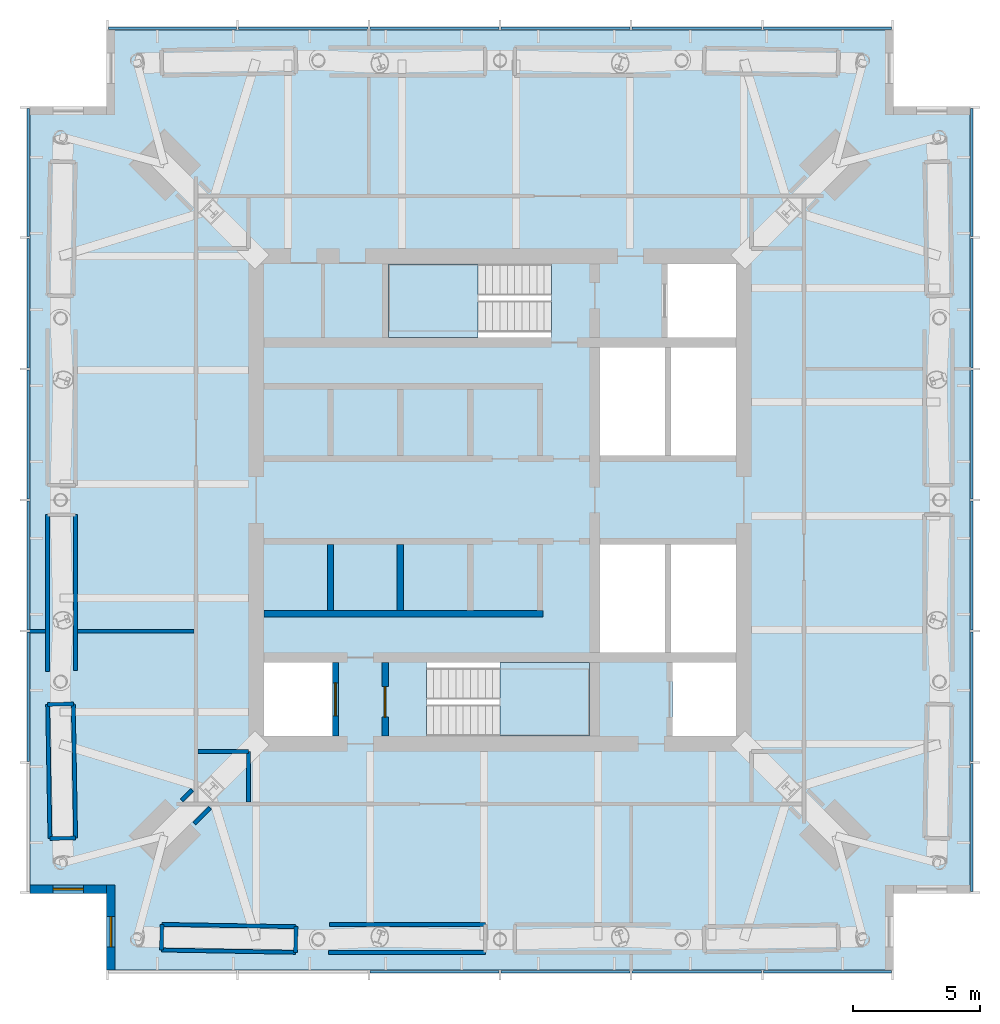
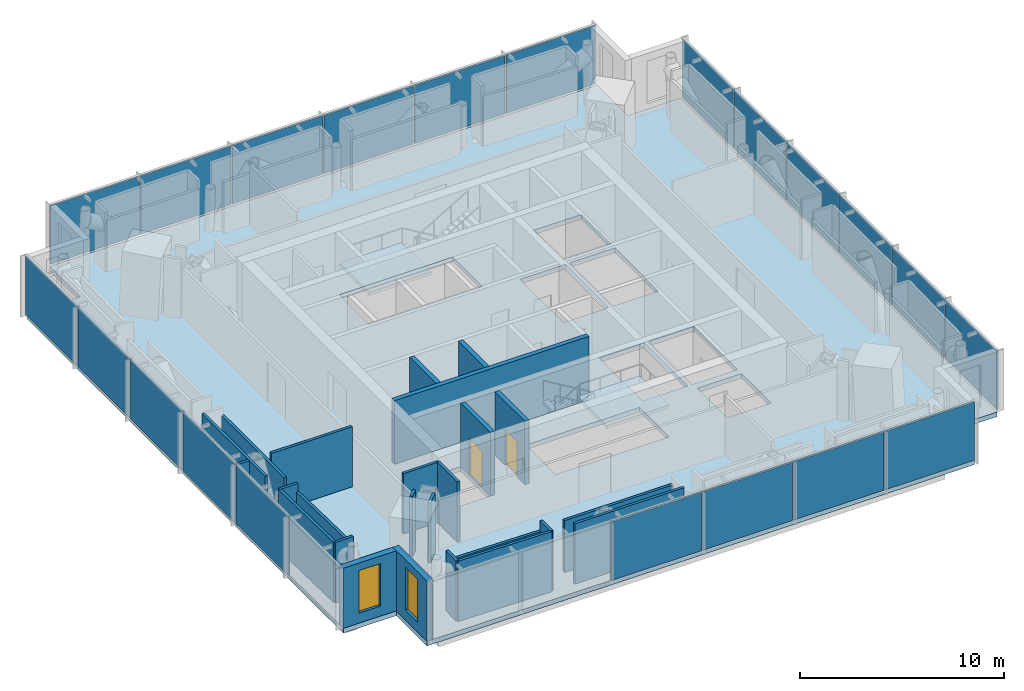
# One storey, part 4 of 8: 25 walls, 21 plates, 3 slabs, 2 doors, 2 windows, 4 openings, 6 elements without a shape of their own.
"""IFC4 building model written with IfcOpenShell, lengths in metres."""

from ifc_helpers import new_model, si_unit, direction, frame, frame_2d, origin, origin_2d, place, context, subcontext, project, spatial, polyline, rectangle, outline, extrude, material, layer, layer_set, type_object, element, fill, aggregate, save


model = new_model("IFC4")

# Units and contexts
model_context = context("Model", 3, precision=1e-05, world=origin(), true_north=direction((0.0, 1.0)))
body_context = subcontext(model_context, "Body", "Model", "MODEL_VIEW")
ifc_project = project(units=[si_unit("LENGTHUNIT", "METRE"), si_unit("AREAUNIT", "SQUARE_METRE"), si_unit("VOLUMEUNIT", "CUBIC_METRE"), si_unit("PLANEANGLEUNIT", "RADIAN"), si_unit("MASSUNIT", "GRAM", prefix="KILO")], contexts=[model_context])

# Site, building, storey
site_placement = place(None, origin())
site = spatial("IfcSite", under=ifc_project, at=site_placement, CompositionType="ELEMENT")
building_placement = place(site_placement, origin())
building = spatial("IfcBuilding", under=site, at=building_placement, Name="Ostroluk Exchange", CompositionType="ELEMENT")
storey_placement = place(building_placement, frame((0.0, 0.0, 230.0)))
storey = spatial("IfcBuildingStorey", under=building, at=storey_placement, Name="L59", CompositionType="ELEMENT", Elevation=230.0)

# Curtain wall, plates
ifc_material_1 = material(Name="Laminated clear glass", Category="glass")
curtain_wall_type = type_object("IfcCurtainWallType", Name="Office tower plant and sky lobby facade", PredefinedType="USERDEFINED", material=ifc_material_1)
curtain_wall_1_placement = place(storey_placement, origin())
curtain_wall_1 = element("IfcCurtainWall", 1, at=curtain_wall_1_placement, inside=storey, type_object=curtain_wall_type, Name="Office tower south facade L59", ObjectType="LOUVRED CURTAIN WALL", PredefinedType="USERDEFINED")
ifc_material_2 = material(Name="Aluminium louvre", Category="aluminium")
ifc_layer_1 = layer(ifc_material_2, 0.10009765625)
ifc_layer_set_1 = layer_set([ifc_layer_1], Name="Aluminium louvre panel 100")
plate_type = type_object("IfcPlateType", Name="Aluminium louvre panel 100", PredefinedType="USERDEFINED", material=ifc_layer_set_1)
plate_1_placement = place(storey_placement, frame((42.416748046875, 27.425048828125, 0.080078125), z_axis=(0.0, 0.0, 1.0), x_axis=(1.0, 0.0, 0.0)))
plate_1 = element("IfcPlate", 2, at=plate_1_placement, type_object=plate_type, Name="CW-P1 panel 3.1", ObjectType="LOUVRE PANEL", PredefinedType="USERDEFINED", context=body_context, shape_type="SweptSolid", body=[
    extrude(rectangle(XDim=5.086669921875, YDim=0.10009765625, at=origin_2d()), origin(), (0.0, 0.0, 1.0), 3.489990234375),
])
plate_2_placement = place(storey_placement, frame((47.583251953125, 27.425048828125, 0.080078125), z_axis=(0.0, 0.0, 1.0), x_axis=(1.0, 0.0, 0.0)))
plate_2 = element("IfcPlate", 3, at=plate_2_placement, type_object=plate_type, Name="CW-P1 panel 4.1", ObjectType="LOUVRE PANEL", PredefinedType="USERDEFINED", context=body_context, shape_type="SweptSolid", body=[
    extrude(rectangle(XDim=5.086669921875, YDim=0.10009765625, at=origin_2d()), origin(), (0.0, 0.0, 1.0), 3.489990234375),
])
plate_3_placement = place(storey_placement, frame((52.75, 27.425048828125, 0.080078125), z_axis=(0.0, 0.0, 1.0), x_axis=(1.0, 0.0, 0.0)))
plate_3 = element("IfcPlate", 4, at=plate_3_placement, type_object=plate_type, Name="CW-P1 panel 5.1", ObjectType="LOUVRE PANEL", PredefinedType="USERDEFINED", context=body_context, shape_type="SweptSolid", body=[
    extrude(rectangle(XDim=5.086669921875, YDim=0.10009765625, at=origin_2d()), origin(), (0.0, 0.0, 1.0), 3.489990234375),
])
plate_4_placement = place(storey_placement, frame((57.896728515625, 27.425048828125, 0.080078125), z_axis=(0.0, 0.0, 1.0), x_axis=(1.0, 0.0, 0.0)))
plate_4 = element("IfcPlate", 5, at=plate_4_placement, type_object=plate_type, Name="CW-P1 panel 6.1", ObjectType="LOUVRE PANEL", PredefinedType="USERDEFINED", context=body_context, shape_type="SweptSolid", body=[
    extrude(rectangle(XDim=5.046630859375, YDim=0.10009765625, at=origin_2d()), origin(), (0.0, 0.0, 1.0), 3.489990234375),
])
aggregate(curtain_wall_1, [plate_1, plate_2, plate_3, plate_4])

curtain_wall_2_placement = place(storey_placement, origin())
curtain_wall_2 = element("IfcCurtainWall", 6, at=curtain_wall_2_placement, inside=storey, type_object=curtain_wall_type, Name="Office tower east facade L59", ObjectType="LOUVRED CURTAIN WALL", PredefinedType="USERDEFINED")
plate_5_placement = place(storey_placement, frame((63.574951171875, 33.103271484375, 0.080078125), z_axis=(0.0, 0.0, 1.0), x_axis=(0.0, 1.0, 0.0)))
plate_5 = element("IfcPlate", 7, at=plate_5_placement, type_object=plate_type, Name="CW-P1 panel 1.1", ObjectType="LOUVRE PANEL", PredefinedType="USERDEFINED", context=body_context, shape_type="SweptSolid", body=[
    extrude(rectangle(XDim=5.046630859375, YDim=0.10009765625, at=origin_2d()), origin(), (0.0, 0.0, 1.0), 3.489990234375),
])
plate_6_placement = place(storey_placement, frame((63.574951171875, 38.25, 0.080078125), z_axis=(0.0, 0.0, 1.0), x_axis=(0.0, 1.0, 0.0)))
plate_6 = element("IfcPlate", 8, at=plate_6_placement, type_object=plate_type, Name="CW-P1 panel 2.1", ObjectType="LOUVRE PANEL", PredefinedType="USERDEFINED", context=body_context, shape_type="SweptSolid", body=[
    extrude(rectangle(XDim=5.086669921875, YDim=0.10009765625, at=origin_2d()), origin(), (0.0, 0.0, 1.0), 3.489990234375),
])
plate_7_placement = place(storey_placement, frame((63.574951171875, 43.416748046875, 0.080078125), z_axis=(0.0, 0.0, 1.0), x_axis=(0.0, 1.0, 0.0)))
plate_7 = element("IfcPlate", 9, at=plate_7_placement, type_object=plate_type, Name="CW-P1 panel 3.1", ObjectType="LOUVRE PANEL", PredefinedType="USERDEFINED", context=body_context, shape_type="SweptSolid", body=[
    extrude(rectangle(XDim=5.086669921875, YDim=0.10009765625, at=origin_2d()), origin(), (0.0, 0.0, 1.0), 3.489990234375),
])
plate_8_placement = place(storey_placement, frame((63.574951171875, 48.583251953125, 0.080078125), z_axis=(0.0, 0.0, 1.0), x_axis=(0.0, 1.0, 0.0)))
plate_8 = element("IfcPlate", 10, at=plate_8_placement, type_object=plate_type, Name="CW-P1 panel 4.1", ObjectType="LOUVRE PANEL", PredefinedType="USERDEFINED", context=body_context, shape_type="SweptSolid", body=[
    extrude(rectangle(XDim=5.086669921875, YDim=0.10009765625, at=origin_2d()), origin(), (0.0, 0.0, 1.0), 3.489990234375),
])
plate_9_placement = place(storey_placement, frame((63.574951171875, 53.75, 0.080078125), z_axis=(0.0, 0.0, 1.0), x_axis=(0.0, 1.0, 0.0)))
plate_9 = element("IfcPlate", 11, at=plate_9_placement, type_object=plate_type, Name="CW-P1 panel 5.1", ObjectType="LOUVRE PANEL", PredefinedType="USERDEFINED", context=body_context, shape_type="SweptSolid", body=[
    extrude(rectangle(XDim=5.086669921875, YDim=0.10009765625, at=origin_2d()), origin(), (0.0, 0.0, 1.0), 3.489990234375),
])
plate_10_placement = place(storey_placement, frame((63.574951171875, 58.896728515625, 0.080078125), z_axis=(0.0, 0.0, 1.0), x_axis=(0.0, 1.0, 0.0)))
plate_10 = element("IfcPlate", 12, at=plate_10_placement, type_object=plate_type, Name="CW-P1 panel 6.1", ObjectType="LOUVRE PANEL", PredefinedType="USERDEFINED", context=body_context, shape_type="SweptSolid", body=[
    extrude(rectangle(XDim=5.046630859375, YDim=0.10009765625, at=origin_2d()), origin(), (0.0, 0.0, 1.0), 3.489990234375),
])
aggregate(curtain_wall_2, [plate_5, plate_6, plate_7, plate_8, plate_9, plate_10])

curtain_wall_3_placement = place(storey_placement, origin())
curtain_wall_3 = element("IfcCurtainWall", 13, at=curtain_wall_3_placement, inside=storey, type_object=curtain_wall_type, Name="Office tower north facade L59", ObjectType="LOUVRED CURTAIN WALL", PredefinedType="USERDEFINED")
plate_11_placement = place(storey_placement, frame((57.896728515625, 64.574951171875, 0.080078125), z_axis=(0.0, 0.0, 1.0), x_axis=(-1.0, 0.0, 0.0)))
plate_11 = element("IfcPlate", 14, at=plate_11_placement, type_object=plate_type, Name="CW-P1 panel 1.1", ObjectType="LOUVRE PANEL", PredefinedType="USERDEFINED", context=body_context, shape_type="SweptSolid", body=[
    extrude(rectangle(XDim=5.046630859375, YDim=0.10009765625, at=origin_2d()), origin(), (0.0, 0.0, 1.0), 3.489990234375),
])
plate_12_placement = place(storey_placement, frame((52.75, 64.574951171875, 0.080078125), z_axis=(0.0, 0.0, 1.0), x_axis=(-1.0, 0.0, 0.0)))
plate_12 = element("IfcPlate", 15, at=plate_12_placement, type_object=plate_type, Name="CW-P1 panel 2.1", ObjectType="LOUVRE PANEL", PredefinedType="USERDEFINED", context=body_context, shape_type="SweptSolid", body=[
    extrude(rectangle(XDim=5.086669921875, YDim=0.10009765625, at=origin_2d()), origin(), (0.0, 0.0, 1.0), 3.489990234375),
])
plate_13_placement = place(storey_placement, frame((47.583251953125, 64.574951171875, 0.080078125), z_axis=(0.0, 0.0, 1.0), x_axis=(-1.0, 0.0, 0.0)))
plate_13 = element("IfcPlate", 16, at=plate_13_placement, type_object=plate_type, Name="CW-P1 panel 3.1", ObjectType="LOUVRE PANEL", PredefinedType="USERDEFINED", context=body_context, shape_type="SweptSolid", body=[
    extrude(rectangle(XDim=5.086669921875, YDim=0.10009765625, at=origin_2d()), origin(), (0.0, 0.0, 1.0), 3.489990234375),
])
plate_14_placement = place(storey_placement, frame((42.416748046875, 64.574951171875, 0.080078125), z_axis=(0.0, 0.0, 1.0), x_axis=(-1.0, 0.0, 0.0)))
plate_14 = element("IfcPlate", 17, at=plate_14_placement, type_object=plate_type, Name="CW-P1 panel 4.1", ObjectType="LOUVRE PANEL", PredefinedType="USERDEFINED", context=body_context, shape_type="SweptSolid", body=[
    extrude(rectangle(XDim=5.086669921875, YDim=0.10009765625, at=origin_2d()), origin(), (0.0, 0.0, 1.0), 3.489990234375),
])
plate_15_placement = place(storey_placement, frame((37.25, 64.574951171875, 0.080078125), z_axis=(0.0, 0.0, 1.0), x_axis=(-1.0, 0.0, 0.0)))
plate_15 = element("IfcPlate", 18, at=plate_15_placement, type_object=plate_type, Name="CW-P1 panel 5.1", ObjectType="LOUVRE PANEL", PredefinedType="USERDEFINED", context=body_context, shape_type="SweptSolid", body=[
    extrude(rectangle(XDim=5.086669921875, YDim=0.10009765625, at=origin_2d()), origin(), (0.0, 0.0, 1.0), 3.489990234375),
])
plate_16_placement = place(storey_placement, frame((32.103271484375, 64.574951171875, 0.080078125), z_axis=(0.0, 0.0, 1.0), x_axis=(-1.0, 0.0, 0.0)))
plate_16 = element("IfcPlate", 19, at=plate_16_placement, type_object=plate_type, Name="CW-P1 panel 6.1", ObjectType="LOUVRE PANEL", PredefinedType="USERDEFINED", context=body_context, shape_type="SweptSolid", body=[
    extrude(rectangle(XDim=5.046630859375, YDim=0.10009765625, at=origin_2d()), origin(), (0.0, 0.0, 1.0), 3.489990234375),
])
aggregate(curtain_wall_3, [plate_11, plate_12, plate_13, plate_14, plate_15, plate_16])

curtain_wall_4_placement = place(storey_placement, origin())
curtain_wall_4 = element("IfcCurtainWall", 20, at=curtain_wall_4_placement, inside=storey, type_object=curtain_wall_type, Name="Office tower west facade L59", ObjectType="LOUVRED CURTAIN WALL", PredefinedType="USERDEFINED")
plate_17_placement = place(storey_placement, frame((26.425048828125, 58.896728515625, 0.080078125), z_axis=(0.0, 0.0, 1.0), x_axis=(0.0, -1.0, 0.0)))
plate_17 = element("IfcPlate", 21, at=plate_17_placement, type_object=plate_type, Name="CW-P1 panel 1.1", ObjectType="LOUVRE PANEL", PredefinedType="USERDEFINED", context=body_context, shape_type="SweptSolid", body=[
    extrude(rectangle(XDim=5.046630859375, YDim=0.10009765625, at=origin_2d()), origin(), (0.0, 0.0, 1.0), 3.489990234375),
])
plate_18_placement = place(storey_placement, frame((26.425048828125, 53.75, 0.080078125), z_axis=(0.0, 0.0, 1.0), x_axis=(0.0, -1.0, 0.0)))
plate_18 = element("IfcPlate", 22, at=plate_18_placement, type_object=plate_type, Name="CW-P1 panel 2.1", ObjectType="LOUVRE PANEL", PredefinedType="USERDEFINED", context=body_context, shape_type="SweptSolid", body=[
    extrude(rectangle(XDim=5.086669921875, YDim=0.10009765625, at=origin_2d()), origin(), (0.0, 0.0, 1.0), 3.489990234375),
])
plate_19_placement = place(storey_placement, frame((26.425048828125, 48.583251953125, 0.080078125), z_axis=(0.0, 0.0, 1.0), x_axis=(0.0, -1.0, 0.0)))
plate_19 = element("IfcPlate", 23, at=plate_19_placement, type_object=plate_type, Name="CW-P1 panel 3.1", ObjectType="LOUVRE PANEL", PredefinedType="USERDEFINED", context=body_context, shape_type="SweptSolid", body=[
    extrude(rectangle(XDim=5.086669921875, YDim=0.10009765625, at=origin_2d()), origin(), (0.0, 0.0, 1.0), 3.489990234375),
])
plate_20_placement = place(storey_placement, frame((26.425048828125, 43.416748046875, 0.080078125), z_axis=(0.0, 0.0, 1.0), x_axis=(0.0, -1.0, 0.0)))
plate_20 = element("IfcPlate", 24, at=plate_20_placement, type_object=plate_type, Name="CW-P1 panel 4.1", ObjectType="LOUVRE PANEL", PredefinedType="USERDEFINED", context=body_context, shape_type="SweptSolid", body=[
    extrude(rectangle(XDim=5.086669921875, YDim=0.10009765625, at=origin_2d()), origin(), (0.0, 0.0, 1.0), 3.489990234375),
])
plate_21_placement = place(storey_placement, frame((26.425048828125, 38.25, 0.080078125), z_axis=(0.0, 0.0, 1.0), x_axis=(0.0, -1.0, 0.0)))
plate_21 = element("IfcPlate", 25, at=plate_21_placement, type_object=plate_type, Name="CW-P1 panel 5.1", ObjectType="LOUVRE PANEL", PredefinedType="USERDEFINED", context=body_context, shape_type="SweptSolid", body=[
    extrude(rectangle(XDim=5.086669921875, YDim=0.10009765625, at=origin_2d()), origin(), (0.0, 0.0, 1.0), 3.489990234375),
])
aggregate(curtain_wall_4, [plate_17, plate_18, plate_19, plate_20, plate_21])

# Stair, slab
ifc_material_3 = material(Name="Concrete C30/37", Category="concrete")
stair_type = type_object("IfcStairType", Name="Exit stair half turn 3800", PredefinedType="HALF_TURN_STAIR", material=ifc_material_3)
stair_1_placement = place(storey_placement, origin())
stair_1 = element("IfcStair", 26, at=stair_1_placement, inside=storey, type_object=stair_type, Name="Stair T1-S1 L59", PredefinedType="HALF_TURN_STAIR")
ifc_material_4 = material(Name="Concrete C30/37", Category="concrete")
ifc_layer_2 = layer(ifc_material_4, 0.199951171875)
ifc_layer_set_2 = layer_set([ifc_layer_2], Name="Stair landing 200")
slab_type_1 = type_object("IfcSlabType", Name="Stair landing 200", PredefinedType="LANDING", material=ifc_layer_set_2)
slab_1_placement = place(storey_placement, frame((0.0, 0.0, 1.699951171875)))
slab_1 = element("IfcSlab", 27, at=slab_1_placement, type_object=slab_type_1, Name="T1-S1 landing 1", PredefinedType="LANDING", context=body_context, shape_type="SweptSolid", body=[
    extrude(outline(polyline([(45.0, 36.699951171875), (45.0, 39.60009765625), (48.530029296875, 39.60009765625), (48.530029296875, 36.699951171875), (45.0, 36.699951171875)])), origin(), (0.0, 0.0, 1.0), 0.199951171875),
])
aggregate(stair_1, [slab_1])

stair_2_placement = place(storey_placement, origin())
stair_2 = element("IfcStair", 28, at=stair_2_placement, inside=storey, type_object=stair_type, Name="Stair T1-S2 L59", PredefinedType="HALF_TURN_STAIR")
slab_2_placement = place(storey_placement, frame((0.0, 0.0, 1.699951171875)))
slab_2 = element("IfcSlab", 29, at=slab_2_placement, type_object=slab_type_1, Name="T1-S2 landing 1", PredefinedType="LANDING", context=body_context, shape_type="SweptSolid", body=[
    extrude(outline(polyline([(44.1298828125, 52.39990234375), (44.1298828125, 55.300048828125), (40.60009765625, 55.300048828125), (40.60009765625, 52.39990234375), (44.1298828125, 52.39990234375)])), origin(), (0.0, 0.0, 1.0), 0.199951171875),
])
aggregate(stair_2, [slab_2])

# Slab
ifc_material_5 = material(Name="Concrete C35/45", Category="concrete")
ifc_layer_3 = layer(ifc_material_5, 0.280029296875)
ifc_layer_set_3 = layer_set([ifc_layer_3], Name="Tower floor slab 280")
slab_type_2 = type_object("IfcSlabType", Name="Tower floor slab 280", PredefinedType="FLOOR", material=ifc_layer_set_3)
slab_3_placement = place(storey_placement, frame((0.0, 0.0, -0.280029296875)))
element("IfcSlab", 30, at=slab_3_placement, inside=storey, type_object=slab_type_2, Name="Office tower floor slab L59", PredefinedType="FLOOR", context=body_context, shape_type="SweptSolid", body=[
    extrude(outline(polyline([(29.5, 27.5), (60.5, 27.5), (60.5, 30.5), (63.5, 30.5), (63.5, 61.5), (60.5, 61.5), (60.5, 64.5), (29.5, 64.5), (29.5, 61.5), (26.5, 61.5), (26.5, 30.5), (29.5, 30.5), (29.5, 27.5)]), holes=[polyline([(35.699951171875, 36.699951171875), (38.39990234375, 36.699951171875), (38.39990234375, 39.60009765625), (35.699951171875, 39.60009765625), (35.699951171875, 36.699951171875)]), polyline([(42.110107421875, 36.699951171875), (48.530029296875, 36.699951171875), (48.530029296875, 39.60009765625), (42.110107421875, 39.60009765625), (42.110107421875, 36.699951171875)]), polyline([(51.800048828125, 36.699951171875), (54.300048828125, 36.699951171875), (54.300048828125, 39.60009765625), (51.800048828125, 39.60009765625), (51.800048828125, 36.699951171875)]), polyline([(40.60009765625, 52.39990234375), (47.02001953125, 52.39990234375), (47.02001953125, 55.300048828125), (40.60009765625, 55.300048828125), (40.60009765625, 52.39990234375)]), polyline([(51.60009765625, 52.39990234375), (54.300048828125, 52.39990234375), (54.300048828125, 55.300048828125), (51.60009765625, 55.300048828125), (51.60009765625, 52.39990234375)]), polyline([(48.929931640625, 47.75), (51.489990234375, 47.75), (51.489990234375, 52.0), (48.929931640625, 52.0), (48.929931640625, 47.75)]), polyline([(51.739990234375, 47.75), (54.300048828125, 47.75), (54.300048828125, 52.0), (51.739990234375, 52.0), (51.739990234375, 47.75)]), polyline([(48.929931640625, 40.0), (51.489990234375, 40.0), (51.489990234375, 44.25), (48.929931640625, 44.25), (48.929931640625, 40.0)]), polyline([(51.739990234375, 40.0), (54.300048828125, 40.0), (54.300048828125, 44.25), (51.739990234375, 44.25), (51.739990234375, 40.0)])]), origin(), (0.0, 0.0, 1.0), 0.280029296875),
])

# Wall, opening, door
ifc_material_6 = material(Name="Concrete C40/50", Category="concrete")
ifc_layer_4 = layer(ifc_material_6, 0.25)
ifc_layer_set_4 = layer_set([ifc_layer_4], Name="Core shaft wall 250")
wall_type_1 = type_object("IfcWallType", Name="Core shaft wall 250", PredefinedType="SHEAR", material=ifc_layer_set_4)
wall_1_placement = place(storey_placement, frame((38.52490234375, 36.699951171875, 0.0), z_axis=(0.0, 0.0, 1.0), x_axis=(0.0, 1.0, 0.0)))
wall_1 = element("IfcWall", 31, at=wall_1_placement, inside=storey, type_object=wall_type_1, Name="Firefighting lift shaft wall", PredefinedType="SHEAR", context=body_context, shape_type="SweptSolid", body=[
    extrude(rectangle(XDim=2.900146484375, YDim=0.25, at=frame_2d((1.4501953125, 0.0))), origin(), (0.0, 0.0, 1.0), 3.800048828125),
])
opening_1_placement = place(wall_1_placement, frame((0.800048828125, 0.0, 0.0)))
opening_1 = element("IfcOpeningElement", 32, at=opening_1_placement, cuts=wall_1, Name="Opening LD2", PredefinedType="OPENING", context=body_context, shape_type="SweptSolid", body=[
    extrude(rectangle(XDim=1.300048828125, YDim=2.199951171875, at=frame_2d((0.64990234375, 1.10009765625))), frame((0.0, 0.135009765625, 0.0), z_axis=(0.0, -1.0, 0.0), x_axis=(1.0, 0.0, 0.0)), (0.0, 0.0, 1.0), 0.27001953125),
])
ifc_material_7 = material(Name="Stainless steel", Category="steel")
door_type_1 = type_object("IfcDoorType", Name="Lift landing door E 60 1300 x 2200", OperationType="DOUBLE_DOOR_SLIDING", PredefinedType="DOOR", material=ifc_material_7)
door_1_placement = place(opening_1_placement, origin())
door_1 = element("IfcDoor", 33, at=door_1_placement, inside=storey, type_object=door_type_1, Name="Lift FL1 landing door", OperationType="DOUBLE_DOOR_SLIDING", OverallHeight=2.199951171875, OverallWidth=1.300048828125, PredefinedType="DOOR", context=body_context, shape_type="SweptSolid", body=[
    extrude(rectangle(XDim=1.300048828125, YDim=2.199951171875, at=frame_2d((0.64990234375, 1.10009765625))), frame((0.0, 0.02490234375, 0.0), z_axis=(0.0, -1.0, 0.0), x_axis=(1.0, 0.0, 0.0)), (0.0, 0.0, 1.0), 0.050048828125),
])
fill(opening_1, door_1)

wall_2_placement = place(storey_placement, frame((40.47509765625, 36.699951171875, 0.0), z_axis=(0.0, 0.0, 1.0), x_axis=(0.0, 1.0, 0.0)))
wall_2 = element("IfcWall", 34, at=wall_2_placement, inside=storey, type_object=wall_type_1, Name="Stair shaft wall", PredefinedType="SHEAR", context=body_context, shape_type="SweptSolid", body=[
    extrude(rectangle(XDim=2.900146484375, YDim=0.25, at=frame_2d((1.4501953125, 0.0))), origin(), (0.0, 0.0, 1.0), 3.800048828125),
])
opening_2_placement = place(wall_2_placement, frame((0.75, 0.0, 0.0)))
opening_2 = element("IfcOpeningElement", 35, at=opening_2_placement, cuts=wall_2, Name="Opening FD60S", PredefinedType="OPENING", context=body_context, shape_type="SweptSolid", body=[
    extrude(rectangle(XDim=1.199951171875, YDim=2.10009765625, at=frame_2d((0.60009765625, 1.050048828125))), frame((0.0, 0.135009765625, 0.0), z_axis=(0.0, -1.0, 0.0), x_axis=(1.0, 0.0, 0.0)), (0.0, 0.0, 1.0), 0.27001953125),
])
ifc_material_8 = material(Name="Steel", Category="steel")
door_type_2 = type_object("IfcDoorType", Name="Stair door EI 60 1200 x 2100", OperationType="SINGLE_SWING_LEFT", PredefinedType="DOOR", material=ifc_material_8)
door_2_placement = place(opening_2_placement, origin())
door_2 = element("IfcDoor", 36, at=door_2_placement, inside=storey, type_object=door_type_2, Name="Stair T1-S1 door", OperationType="SINGLE_SWING_LEFT", OverallHeight=2.10009765625, OverallWidth=1.199951171875, PredefinedType="DOOR", context=body_context, shape_type="SweptSolid", body=[
    extrude(rectangle(XDim=1.199951171875, YDim=2.10009765625, at=frame_2d((0.60009765625, 1.050048828125))), frame((0.0, 0.02490234375, 0.0), z_axis=(0.0, -1.0, 0.0), x_axis=(1.0, 0.0, 0.0)), (0.0, 0.0, 1.0), 0.050048828125),
])
fill(opening_2, door_2)

# Walls
for number, where, z_axis, x_axis, name in (
    (37, (38.324951171875, 44.25, 0.0), (0.0, 0.0, 1.0), (0.0, -1.0, 0.0), "Lift shaft wall"),
    (38, (41.074951171875, 44.25, 0.0), (0.0, 0.0, 1.0), (0.0, -1.0, 0.0), "Lift shaft wall"),
):
    element("IfcWall", number, at=place(storey_placement, frame(where, z_axis=z_axis, x_axis=x_axis)), inside=storey, type_object=wall_type_1, Name=name, PredefinedType="SHEAR", context=body_context, shape_type="SweptSolid", body=[
        extrude(rectangle(XDim=2.60009765625, YDim=0.25, at=frame_2d((1.300048828125, 0.0))), origin(), (0.0, 0.0, 1.0), 3.800048828125),
    ])
wall_3_placement = place(storey_placement, frame((35.699951171875, 41.52490234375, 0.0), z_axis=(0.0, 0.0, 1.0), x_axis=(1.0, 0.0, 0.0)))
element("IfcWall", 39, at=wall_3_placement, inside=storey, type_object=wall_type_1, Name="Lift shaft wall", PredefinedType="SHEAR", context=body_context, shape_type="SweptSolid", body=[
    extrude(rectangle(XDim=11.0, YDim=0.25, at=frame_2d((5.5, 0.0))), origin(), (0.0, 0.0, 1.0), 3.800048828125),
])

# Wall, opening, window
ifc_material_9 = material(Name="Limestone", Category="masonry")
ifc_layer_5 = layer(ifc_material_9, 0.35009765625)
ifc_layer_set_5 = layer_set([ifc_layer_5], Name="Limestone facade wall 350")
wall_type_2 = type_object("IfcWallType", Name="Limestone facade wall 350", PredefinedType="SOLIDWALL", material=ifc_layer_set_5)
wall_4_placement = place(storey_placement, frame((29.675048828125, 27.5, 0.0), z_axis=(0.0, 0.0, 1.0), x_axis=(0.0, 1.0, 0.0)))
wall_4 = element("IfcWall", 40, at=wall_4_placement, inside=storey, type_object=wall_type_2, Name="Office tower SW corner wall L59 a", PredefinedType="SOLIDWALL", context=body_context, shape_type="SweptSolid", body=[
    extrude(rectangle(XDim=3.35009765625, YDim=0.35009765625, at=frame_2d((1.675048828125, 0.0))), origin(), (0.0, 0.0, 1.0), 3.60009765625),
])
opening_3_placement = place(wall_4_placement, frame((0.89990234375, 0.0, 0.60009765625)))
opening_3 = element("IfcOpeningElement", 41, at=opening_3_placement, cuts=wall_4, Name="Opening WN-LV1", PredefinedType="OPENING", context=body_context, shape_type="SweptSolid", body=[
    extrude(rectangle(XDim=1.199951171875, YDim=2.550048828125, at=frame_2d((0.60009765625, 1.27490234375))), frame((0.0, 0.18505859375, 0.0), z_axis=(0.0, -1.0, 0.0), x_axis=(1.0, 0.0, 0.0)), (0.0, 0.0, 1.0), 0.3701171875),
])
ifc_material_10 = material(Name="Aluminium louvre", Category="aluminium")
window_type = type_object("IfcWindowType", Name="Lancet louvre 1200 x 2550", PartitioningType="SINGLE_PANEL", PredefinedType="USERDEFINED", material=ifc_material_10)
window_1_placement = place(opening_3_placement, origin())
window_1 = element("IfcWindow", 42, at=window_1_placement, inside=storey, type_object=window_type, Name="Office tower SW plant louvre L59", ObjectType="LOUVRE", OverallHeight=2.550048828125, OverallWidth=1.199951171875, PartitioningType="SINGLE_PANEL", PredefinedType="USERDEFINED", context=body_context, shape_type="SweptSolid", body=[
    extrude(rectangle(XDim=1.199951171875, YDim=2.550048828125, at=frame_2d((0.60009765625, 1.27490234375))), frame((0.0, 0.030029296875, 0.0), z_axis=(0.0, -1.0, 0.0), x_axis=(1.0, 0.0, 0.0)), (0.0, 0.0, 1.0), 0.06005859375),
])
fill(opening_3, window_1)

wall_5_placement = place(storey_placement, frame((29.5, 30.675048828125, 0.0), z_axis=(0.0, 0.0, 1.0), x_axis=(-1.0, 0.0, 0.0)))
wall_5 = element("IfcWall", 43, at=wall_5_placement, inside=storey, type_object=wall_type_2, Name="Office tower SW corner wall L59 b", PredefinedType="SOLIDWALL", context=body_context, shape_type="SweptSolid", body=[
    extrude(rectangle(XDim=3.0, YDim=0.35009765625, at=frame_2d((1.5, 0.0))), origin(), (0.0, 0.0, 1.0), 3.60009765625),
])
opening_4_placement = place(wall_5_placement, frame((0.89990234375, 0.0, 0.60009765625)))
opening_4 = element("IfcOpeningElement", 44, at=opening_4_placement, cuts=wall_5, Name="Opening WN-LV1", PredefinedType="OPENING", context=body_context, shape_type="SweptSolid", body=[
    extrude(rectangle(XDim=1.199951171875, YDim=2.550048828125, at=frame_2d((0.60009765625, 1.27490234375))), frame((0.0, 0.18505859375, 0.0), z_axis=(0.0, -1.0, 0.0), x_axis=(1.0, 0.0, 0.0)), (0.0, 0.0, 1.0), 0.3701171875),
])
window_2_placement = place(opening_4_placement, origin())
window_2 = element("IfcWindow", 45, at=window_2_placement, inside=storey, type_object=window_type, Name="Office tower SW plant louvre L59", ObjectType="LOUVRE", OverallHeight=2.550048828125, OverallWidth=1.199951171875, PartitioningType="SINGLE_PANEL", PredefinedType="USERDEFINED", context=body_context, shape_type="SweptSolid", body=[
    extrude(rectangle(XDim=1.199951171875, YDim=2.550048828125, at=frame_2d((0.60009765625, 1.27490234375))), frame((0.0, 0.030029296875, 0.0), z_axis=(0.0, -1.0, 0.0), x_axis=(1.0, 0.0, 0.0)), (0.0, 0.0, 1.0), 0.06005859375),
])
fill(opening_4, window_2)

# Walls
ifc_material_11 = material(Name="Gypsum plasterboard partition", Category="gypsum")
ifc_layer_6 = layer(ifc_material_11, 0.14990234375)
ifc_layer_set_6 = layer_set([ifc_layer_6], Name="Plasterboard partition 150")
wall_type_3 = type_object("IfcWallType", Name="Plasterboard partition 150", PredefinedType="PARTITIONING", material=ifc_layer_set_6)
wall_6_placement = place(storey_placement, frame((35.10009765625, 36.10009765625, 0.0), z_axis=(0.0, 0.0, 1.0), x_axis=(-1.0, 0.0, 0.0)))
element("IfcWall", 46, at=wall_6_placement, inside=storey, type_object=wall_type_3, Name="Partition", PredefinedType="PARTITIONING", context=body_context, shape_type="SweptSolid", body=[
    extrude(rectangle(XDim=2.0, YDim=0.14990234375, at=frame_2d((1.0, 0.0))), origin(), (0.0, 0.0, 1.0), 3.60009765625),
])
wall_7_placement = place(storey_placement, frame((32.949951171875, 40.833251953125, 0.0), z_axis=(0.0, 0.0, 1.0), x_axis=(-1.0, 0.0, 0.0)))
element("IfcWall", 47, at=wall_7_placement, inside=storey, type_object=wall_type_3, Name="Partition", PredefinedType="PARTITIONING", context=body_context, shape_type="SweptSolid", body=[
    extrude(rectangle(XDim=4.583740234375, YDim=0.14990234375, at=frame_2d((2.2919921875, 0.0))), origin(), (0.0, 0.0, 1.0), 3.60009765625),
])
wall_8_placement = place(storey_placement, frame((27.11279296875, 40.833251953125, 0.0), z_axis=(0.0, 0.0, 1.0), x_axis=(-1.0, 0.0, 0.0)))
element("IfcWall", 48, at=wall_8_placement, inside=storey, type_object=wall_type_3, Name="Partition", PredefinedType="PARTITIONING", context=body_context, shape_type="SweptSolid", body=[
    extrude(rectangle(XDim=0.65283203125, YDim=0.14990234375, at=frame_2d((0.326416015625, 0.0))), origin(), (0.0, 0.0, 1.0), 3.60009765625),
])
wall_9_placement = place(storey_placement, frame((35.10009765625, 36.10009765625, 0.0), z_axis=(0.0, 0.0, 1.0), x_axis=(0.0, -1.0, 0.0)))
element("IfcWall", 49, at=wall_9_placement, inside=storey, type_object=wall_type_3, Name="Partition", PredefinedType="PARTITIONING", context=body_context, shape_type="SweptSolid", body=[
    extrude(rectangle(XDim=2.0, YDim=0.14990234375, at=frame_2d((1.0, 0.0))), origin(), (0.0, 0.0, 1.0), 3.60009765625),
])
wall_10_placement = place(storey_placement, frame((36.968017578125, 29.2001953125, 0.0), z_axis=(0.0, 0.0, 1.0), x_axis=(-0.017110052176, -0.999853612343, 0.0)))
element("IfcWall", 50, at=wall_10_placement, inside=storey, type_object=wall_type_3, Name="Partition", PredefinedType="PARTITIONING", context=body_context, shape_type="SweptSolid", body=[
    extrude(rectangle(XDim=1.01318359375, YDim=0.14990234375, at=frame_2d((0.506591796875, 0.0))), origin(), (0.0, 0.0, 1.0), 3.60009765625),
])
wall_11_placement = place(storey_placement, frame((36.95068359375, 28.187255859375, 0.0), z_axis=(0.0, 0.0, 1.0), x_axis=(-0.999851276861, 0.017245989654, 0.0)))
element("IfcWall", 51, at=wall_11_placement, inside=storey, type_object=wall_type_3, Name="Partition", PredefinedType="PARTITIONING", context=body_context, shape_type="SweptSolid", body=[
    extrude(rectangle(XDim=5.2802734375, YDim=0.14990234375, at=frame_2d((2.64013671875, 0.0))), origin(), (0.0, 0.0, 1.0), 3.60009765625),
])
wall_12_placement = place(storey_placement, frame((31.671142578125, 28.2783203125, 0.0), z_axis=(0.0, 0.0, 1.0), x_axis=(0.017350966779, 0.999849460645, 0.0)))
element("IfcWall", 52, at=wall_12_placement, inside=storey, type_object=wall_type_3, Name="Partition", PredefinedType="PARTITIONING", context=body_context, shape_type="SweptSolid", body=[
    extrude(rectangle(XDim=1.01318359375, YDim=0.14990234375, at=frame_2d((0.506591796875, 0.0))), origin(), (0.0, 0.0, 1.0), 3.60009765625),
])
wall_13_placement = place(storey_placement, frame((31.688720703125, 29.291259765625, 0.0), z_axis=(0.0, 0.0, 1.0), x_axis=(0.999851263109, -0.017246786956, 0.0)))
element("IfcWall", 53, at=wall_13_placement, inside=storey, type_object=wall_type_3, Name="Partition", PredefinedType="PARTITIONING", context=body_context, shape_type="SweptSolid", body=[
    extrude(rectangle(XDim=5.280029296875, YDim=0.14990234375, at=frame_2d((2.64013671875, 0.0))), origin(), (0.0, 0.0, 1.0), 3.0),
])
wall_14_placement = place(storey_placement, frame((44.421142578125, 28.1875, 0.0), z_axis=(0.0, 0.0, 1.0), x_axis=(-0.999999996882, 7.8973346e-05, 0.0)))
element("IfcWall", 54, at=wall_14_placement, inside=storey, type_object=wall_type_3, Name="Partition", PredefinedType="PARTITIONING", context=body_context, shape_type="SweptSolid", body=[
    extrude(rectangle(XDim=6.182861328125, YDim=0.14990234375, at=frame_2d((3.09130859375, 0.0))), origin(), (0.0, 0.0, 1.0), 3.60009765625),
])
wall_15_placement = place(storey_placement, frame((38.288330078125, 29.291259765625, 0.0), z_axis=(0.0, 0.0, 1.0), x_axis=(0.999999996831, -7.9614665e-05, 0.0)))
element("IfcWall", 55, at=wall_15_placement, inside=storey, type_object=wall_type_3, Name="Partition", PredefinedType="PARTITIONING", context=body_context, shape_type="SweptSolid", body=[
    extrude(rectangle(XDim=6.133056640625, YDim=0.14990234375, at=frame_2d((3.06640625, 0.0))), origin(), (0.0, 0.0, 1.0), 3.10009765625),
])
wall_16_placement = place(storey_placement, frame((33.58203125, 33.875, 0.0), z_axis=(0.0, 0.0, 1.0), x_axis=(-0.707106781187, -0.707106781187, 0.0)))
element("IfcWall", 56, at=wall_16_placement, inside=storey, type_object=wall_type_3, Name="Partition", PredefinedType="PARTITIONING", context=body_context, shape_type="SweptSolid", body=[
    extrude(rectangle(XDim=0.878662109375, YDim=0.14990234375, at=frame_2d((0.439453125, 0.0))), origin(), (0.0, 0.0, 1.0), 3.60009765625),
])
wall_17_placement = place(storey_placement, frame((32.4677734375, 34.175048828125, 0.0), z_axis=(0.0, 0.0, 1.0), x_axis=(0.70731877541, 0.706894723387, 0.0)))
element("IfcWall", 57, at=wall_17_placement, inside=storey, type_object=wall_type_3, Name="Partition", PredefinedType="PARTITIONING", context=body_context, shape_type="SweptSolid", body=[
    extrude(rectangle(XDim=0.57568359375, YDim=0.14990234375, at=frame_2d((0.287841796875, 0.0))), origin(), (0.0, 0.0, 1.0), 3.60009765625),
])
wall_18_placement = place(storey_placement, frame((28.2001953125, 37.968017578125, 0.0), z_axis=(0.0, 0.0, 1.0), x_axis=(0.017246786956, -0.999851263109, 0.0)))
element("IfcWall", 58, at=wall_18_placement, inside=storey, type_object=wall_type_3, Name="Partition", PredefinedType="PARTITIONING", context=body_context, shape_type="SweptSolid", body=[
    extrude(rectangle(XDim=5.280029296875, YDim=0.14990234375, at=frame_2d((2.64013671875, 0.0))), origin(), (0.0, 0.0, 1.0), 3.10009765625),
])
wall_19_placement = place(storey_placement, frame((28.291259765625, 32.688720703125, 0.0), z_axis=(0.0, 0.0, 1.0), x_axis=(-0.999849460645, -0.017350966779, 0.0)))
element("IfcWall", 59, at=wall_19_placement, inside=storey, type_object=wall_type_3, Name="Partition", PredefinedType="PARTITIONING", context=body_context, shape_type="SweptSolid", body=[
    extrude(rectangle(XDim=1.01318359375, YDim=0.14990234375, at=frame_2d((0.506591796875, 0.0))), origin(), (0.0, 0.0, 1.0), 3.60009765625),
])
wall_20_placement = place(storey_placement, frame((27.2783203125, 32.671142578125, 0.0), z_axis=(0.0, 0.0, 1.0), x_axis=(-0.017245989654, 0.999851276861, 0.0)))
element("IfcWall", 60, at=wall_20_placement, inside=storey, type_object=wall_type_3, Name="Partition", PredefinedType="PARTITIONING", context=body_context, shape_type="SweptSolid", body=[
    extrude(rectangle(XDim=5.2802734375, YDim=0.14990234375, at=frame_2d((2.64013671875, 0.0))), origin(), (0.0, 0.0, 1.0), 3.60009765625),
])
wall_21_placement = place(storey_placement, frame((27.187255859375, 37.95068359375, 0.0), z_axis=(0.0, 0.0, 1.0), x_axis=(0.999853612343, 0.017110052176, 0.0)))
element("IfcWall", 61, at=wall_21_placement, inside=storey, type_object=wall_type_3, Name="Partition", PredefinedType="PARTITIONING", context=body_context, shape_type="SweptSolid", body=[
    extrude(rectangle(XDim=1.01318359375, YDim=0.14990234375, at=frame_2d((0.506591796875, 0.0))), origin(), (0.0, 0.0, 1.0), 3.60009765625),
])
wall_22_placement = place(storey_placement, frame((27.18798828125, 39.23828125, 0.0), z_axis=(0.0, 0.0, 1.0), x_axis=(-7.8973346e-05, 0.999999996882, 0.0)))
element("IfcWall", 62, at=wall_22_placement, inside=storey, type_object=wall_type_3, Name="Partition", PredefinedType="PARTITIONING", context=body_context, shape_type="SweptSolid", body=[
    extrude(rectangle(XDim=6.182861328125, YDim=0.14990234375, at=frame_2d((3.09130859375, 0.0))), origin(), (0.0, 0.0, 1.0), 3.60009765625),
])
wall_23_placement = place(storey_placement, frame((28.290771484375, 45.42138671875, 0.0), z_axis=(0.0, 0.0, 1.0), x_axis=(7.9614665e-05, -0.999999996831, 0.0)))
element("IfcWall", 63, at=wall_23_placement, inside=storey, type_object=wall_type_3, Name="Partition", PredefinedType="PARTITIONING", context=body_context, shape_type="SweptSolid", body=[
    extrude(rectangle(XDim=6.133056640625, YDim=0.14990234375, at=frame_2d((3.06640625, 0.0))), origin(), (0.0, 0.0, 1.0), 3.10009765625),
])

save(model, "model.ifc")
